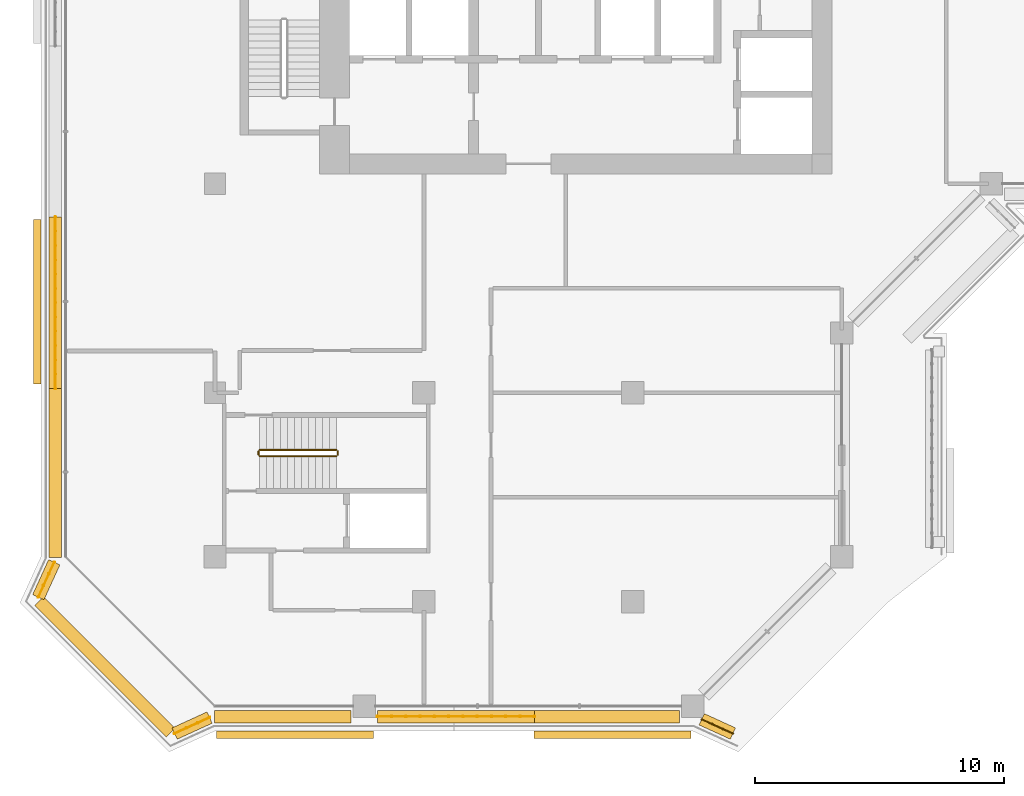
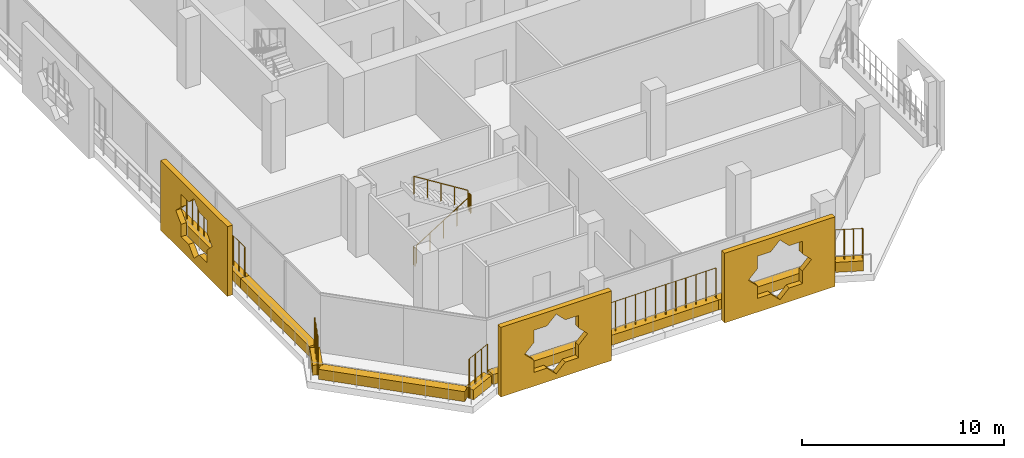
# One storey, part 14 of 21: 12 coverings, 9 railings.
"""IFC4 building model written with IfcOpenShell, lengths in metres."""

from ifc_helpers import new_model, si_unit, direction, frame, origin, origin_2d, place, context, subcontext, project, spatial, polyline, rectangle, circle, outline, extrude, material, material_profile, profile_set, type_object, element, save


model = new_model("IFC4")

# Units and contexts
model_context = context("Model", 3, precision=1e-05, world=origin(), true_north=direction((0.0, 1.0)))
body_context = subcontext(model_context, "Body", "Model", "MODEL_VIEW")
ifc_project = project(units=[si_unit("LENGTHUNIT", "METRE"), si_unit("AREAUNIT", "SQUARE_METRE"), si_unit("VOLUMEUNIT", "CUBIC_METRE"), si_unit("PLANEANGLEUNIT", "RADIAN"), si_unit("MASSUNIT", "GRAM", prefix="KILO")], contexts=[model_context])

# Site, building, storey
site_placement = place(None, origin())
site = spatial("IfcSite", under=ifc_project, at=site_placement, CompositionType="ELEMENT")
building_placement = place(site_placement, origin())
building = spatial("IfcBuilding", under=site, at=building_placement, Name="Kawkab Arch Medical Tower", CompositionType="ELEMENT")
storey_placement = place(building_placement, frame((0.0, 0.0, 260.0)))
storey = spatial("IfcBuildingStorey", under=building, at=storey_placement, Name="L60", CompositionType="ELEMENT", Elevation=260.0)

# Coverings
ifc_material_1 = material(Name="Bronze anodised aluminium mashrabiya panel, eight-point star pattern", Category="aluminium")
ifc_material_profile_1 = material_profile(ifc_material_1, outline(polyline([(-3.14990234375, -2.10009765625), (3.14990234375, -2.10009765625), (3.14990234375, 2.10009765625), (-3.14990234375, 2.10009765625), (-3.14990234375, -2.10009765625)]), holes=[polyline([(1.800048828125, 0.0), (1.272705078125, 0.527099609375), (1.272705078125, 1.272705078125), (0.527099609375, 1.272705078125), (0.0, 1.800048828125), (-0.527099609375, 1.272705078125), (-1.272705078125, 1.272705078125), (-1.272705078125, 0.527099609375), (-1.800048828125, 0.0), (-1.272705078125, -0.527099609375), (-1.272705078125, -1.272705078125), (-0.527099609375, -1.272705078125), (0.0, -1.800048828125), (0.527099609375, -1.272705078125), (1.272705078125, -1.272705078125), (1.272705078125, -0.527099609375), (1.800048828125, 0.0)])]), Name="Mashrabiya panel 6300x4200")
ifc_profile_set_1 = profile_set([ifc_material_profile_1], Name="Bronze anodised aluminium mashrabiya panel, eight-point star pattern")
covering_type_1 = type_object("IfcCoveringType", Name="Mashrabiya panel 6300 x 4200", PredefinedType="USERDEFINED", material=ifc_profile_set_1)
for number, where, z_axis, x_axis, name in (
    (1, (15.9814453125, -47.199951171875, 1.699951171875), (0.0, -1.0, 0.0), (1.0, 0.0, 0.0), "Mashrabiya panel L60.LOG-01-01.1"),
    (2, (3.218505859375, -47.199951171875, 1.699951171875), (0.0, -1.0, 0.0), (1.0, 0.0, 0.0), "Mashrabiya panel L60.LOG-01-01.2"),
):
    element("IfcCovering", number, at=place(storey_placement, frame(where, z_axis=z_axis, x_axis=x_axis)), inside=storey, type_object=covering_type_1, Name=name, ObjectType="SCREEN", PredefinedType="USERDEFINED", context=body_context, shape_type="SweptSolid", body=[
        extrude(outline(polyline([(-3.14990234375, -2.10009765625), (3.14990234375, -2.10009765625), (3.14990234375, 2.10009765625), (-3.14990234375, 2.10009765625), (-3.14990234375, -2.10009765625)]), holes=[polyline([(1.800048828125, 0.0), (1.272705078125, 0.527099609375), (1.272705078125, 1.272705078125), (0.527099609375, 1.272705078125), (0.0, 1.800048828125), (-0.527099609375, 1.272705078125), (-1.272705078125, 1.272705078125), (-1.272705078125, 0.527099609375), (-1.800048828125, 0.0), (-1.272705078125, -0.527099609375), (-1.272705078125, -1.272705078125), (-0.527099609375, -1.272705078125), (0.0, -1.800048828125), (0.527099609375, -1.272705078125), (1.272705078125, -1.272705078125), (1.272705078125, -0.527099609375), (1.800048828125, 0.0)])]), origin(), (0.0, 0.0, 1.0), 0.300048828125),
    ])
ifc_material_2 = material(Name="Bronze anodised aluminium mashrabiya panel, eight-point star pattern", Category="aluminium")
ifc_material_profile_2 = material_profile(ifc_material_2, outline(polyline([(-3.300048828125, -2.10009765625), (3.300048828125, -2.10009765625), (3.300048828125, 2.10009765625), (-3.300048828125, 2.10009765625), (-3.300048828125, -2.10009765625)]), holes=[polyline([(1.800048828125, 0.0), (1.272705078125, 0.527099609375), (1.272705078125, 1.272705078125), (0.527099609375, 1.272705078125), (0.0, 1.800048828125), (-0.527099609375, 1.272705078125), (-1.272705078125, 1.272705078125), (-1.272705078125, 0.527099609375), (-1.800048828125, 0.0), (-1.272705078125, -0.527099609375), (-1.272705078125, -1.272705078125), (-0.527099609375, -1.272705078125), (0.0, -1.800048828125), (0.527099609375, -1.272705078125), (1.272705078125, -1.272705078125), (1.272705078125, -0.527099609375), (1.800048828125, 0.0)])]), Name="Mashrabiya panel 6600x4200")
ifc_profile_set_2 = profile_set([ifc_material_profile_2], Name="Bronze anodised aluminium mashrabiya panel, eight-point star pattern")
covering_type_2 = type_object("IfcCoveringType", Name="Mashrabiya panel 6600 x 4200", PredefinedType="USERDEFINED", material=ifc_profile_set_2)
covering_1_placement = place(storey_placement, frame((-7.0, -29.94091796875, 1.699951171875), z_axis=(-1.0, 0.0, 0.0), x_axis=(0.0, -1.0, 0.0)))
element("IfcCovering", 3, at=covering_1_placement, inside=storey, type_object=covering_type_2, Name="Mashrabiya panel L60.LOG-01-01.3", ObjectType="SCREEN", PredefinedType="USERDEFINED", context=body_context, shape_type="SweptSolid", body=[
    extrude(outline(polyline([(-3.300048828125, -2.10009765625), (3.300048828125, -2.10009765625), (3.300048828125, 2.10009765625), (-3.300048828125, 2.10009765625), (-3.300048828125, -2.10009765625)]), holes=[polyline([(1.800048828125, 0.0), (1.272705078125, 0.527099609375), (1.272705078125, 1.272705078125), (0.527099609375, 1.272705078125), (0.0, 1.800048828125), (-0.527099609375, 1.272705078125), (-1.272705078125, 1.272705078125), (-1.272705078125, 0.527099609375), (-1.800048828125, 0.0), (-1.272705078125, -0.527099609375), (-1.272705078125, -1.272705078125), (-0.527099609375, -1.272705078125), (0.0, -1.800048828125), (0.527099609375, -1.272705078125), (1.272705078125, -1.272705078125), (1.272705078125, -0.527099609375), (1.800048828125, 0.0)])]), origin(), (0.0, 0.0, 1.0), 0.300048828125),
])
ifc_material_3 = material(Name="Planting soil in a precast trough", Category="concrete")
ifc_material_profile_3 = material_profile(ifc_material_3, rectangle(XDim=0.5, YDim=0.60009765625, at=origin_2d()), Name="Trough 500x600")
ifc_profile_set_3 = profile_set([ifc_material_profile_3], Name="Planting soil in a precast trough")
covering_type_3 = type_object("IfcCoveringType", Name="Planter trough 500 x 600", PredefinedType="USERDEFINED", material=ifc_profile_set_3)
covering_2_placement = place(storey_placement, frame((20.821044921875, -47.302001953125, 0.300048828125), z_axis=(-0.909831953447, 0.41497688669, 0.0), x_axis=(-0.41497688669, -0.909831953447, 0.0)))
element("IfcCovering", 4, at=covering_2_placement, inside=storey, type_object=covering_type_3, Name="Planter L60.LOG-01-01.1", ObjectType="PLANTER", PredefinedType="USERDEFINED", context=body_context, shape_type="SweptSolid", body=[
    extrude(rectangle(XDim=0.5, YDim=0.60009765625, at=origin_2d()), origin(), (0.0, 0.0, 1.0), 1.37841796875),
])
covering_3_placement = place(storey_placement, frame((18.669921875, -46.6201171875, 0.300048828125), z_axis=(-1.0, 0.0, 0.0), x_axis=(0.0, -1.0, 0.0)))
element("IfcCovering", 5, at=covering_3_placement, inside=storey, type_object=covering_type_3, Name="Planter L60.LOG-01-01.2", ObjectType="PLANTER", PredefinedType="USERDEFINED", context=body_context, shape_type="SweptSolid", body=[
    extrude(rectangle(XDim=0.5, YDim=0.60009765625, at=origin_2d()), origin(), (0.0, 0.0, 1.0), 5.827880859375),
])
covering_4_placement = place(storey_placement, frame((12.842041015625, -46.6201171875, 0.300048828125), z_axis=(-1.0, 0.0, 0.0), x_axis=(0.0, -1.0, 0.0)))
element("IfcCovering", 6, at=covering_4_placement, inside=storey, type_object=covering_type_3, Name="Planter L60.LOG-01-01.3", ObjectType="PLANTER", PredefinedType="USERDEFINED", context=body_context, shape_type="SweptSolid", body=[
    extrude(rectangle(XDim=0.5, YDim=0.60009765625, at=origin_2d()), origin(), (0.0, 0.0, 1.0), 6.31201171875),
])
covering_5_placement = place(storey_placement, frame((5.469970703125, -46.6201171875, 0.300048828125), z_axis=(-1.0, 0.0, 0.0), x_axis=(0.0, -1.0, 0.0)))
element("IfcCovering", 7, at=covering_5_placement, inside=storey, type_object=covering_type_3, Name="Planter L60.LOG-01-01.4", ObjectType="PLANTER", PredefinedType="USERDEFINED", context=body_context, shape_type="SweptSolid", body=[
    extrude(rectangle(XDim=0.5, YDim=0.60009765625, at=origin_2d()), origin(), (0.0, 0.0, 1.0), 5.495849609375),
])
covering_6_placement = place(storey_placement, frame((-0.217041015625, -46.660888671875, 0.300048828125), z_axis=(-0.909655525109, -0.415363486165, 0.0), x_axis=(0.415363486165, -0.909655525109, 0.0)))
element("IfcCovering", 8, at=covering_6_placement, inside=storey, type_object=covering_type_3, Name="Planter L60.LOG-01-01.5", ObjectType="PLANTER", PredefinedType="USERDEFINED", context=body_context, shape_type="SweptSolid", body=[
    extrude(rectangle(XDim=0.5, YDim=0.60009765625, at=origin_2d()), origin(), (0.0, 0.0, 1.0), 1.54345703125),
])
covering_7_placement = place(storey_placement, frame((-1.782958984375, -47.27294921875, 0.300048828125), z_axis=(-0.707106781187, 0.707106781187, 0.0), x_axis=(-0.707106781187, -0.707106781187, 0.0)))
element("IfcCovering", 9, at=covering_7_placement, inside=storey, type_object=covering_type_3, Name="Planter L60.LOG-01-01.6", ObjectType="PLANTER", PredefinedType="USERDEFINED", context=body_context, shape_type="SweptSolid", body=[
    extrude(rectangle(XDim=0.5, YDim=0.60009765625, at=origin_2d()), origin(), (0.0, 0.0, 1.0), 7.481201171875),
])
covering_8_placement = place(storey_placement, frame((-7.10205078125, -41.821044921875, 0.300048828125), z_axis=(0.415363486165, 0.909655525109, 0.0), x_axis=(-0.909655525109, 0.415363486165, 0.0)))
element("IfcCovering", 10, at=covering_8_placement, inside=storey, type_object=covering_type_3, Name="Planter L60.LOG-01-01.7", ObjectType="PLANTER", PredefinedType="USERDEFINED", context=body_context, shape_type="SweptSolid", body=[
    extrude(rectangle(XDim=0.5, YDim=0.60009765625, at=origin_2d()), origin(), (0.0, 0.0, 1.0), 1.54345703125),
])
covering_9_placement = place(storey_placement, frame((-6.419921875, -40.22607421875, 0.300048828125), z_axis=(0.0, 1.0, 0.0), x_axis=(-1.0, 0.0, 0.0)))
element("IfcCovering", 11, at=covering_9_placement, inside=storey, type_object=covering_type_3, Name="Planter L60.LOG-01-01.8", ObjectType="PLANTER", PredefinedType="USERDEFINED", context=body_context, shape_type="SweptSolid", body=[
    extrude(rectangle(XDim=0.5, YDim=0.60009765625, at=origin_2d()), origin(), (0.0, 0.0, 1.0), 6.7900390625),
])
covering_10_placement = place(storey_placement, frame((-6.419921875, -33.43603515625, 0.300048828125), z_axis=(0.0, 1.0, 0.0), x_axis=(-1.0, 0.0, 0.0)))
element("IfcCovering", 12, at=covering_10_placement, inside=storey, type_object=covering_type_3, Name="Planter L60.LOG-01-01.9", ObjectType="PLANTER", PredefinedType="USERDEFINED", context=body_context, shape_type="SweptSolid", body=[
    extrude(rectangle(XDim=0.5, YDim=0.60009765625, at=origin_2d()), origin(), (0.0, 0.0, 1.0), 6.89111328125),
])

# Railings
ifc_material_4 = material(Name="Bronze anodised aluminium trellis for climbing plants", Category="aluminium")
railing_type_1 = type_object("IfcRailingType", Name="Planting trellis 2400", PredefinedType="USERDEFINED", material=ifc_material_4)
railing_1_placement = place(storey_placement, frame((20.821044921875, -47.302001953125, 0.0)))
element("IfcRailing", 13, at=railing_1_placement, inside=storey, type_object=railing_type_1, Name="Planting trellis L60.LOG-01-01.1", ObjectType="TRELLIS", PredefinedType="USERDEFINED", context=body_context, shape_type="SweptSolid", body=[
    extrude(circle(Radius=0.01513671875, at=origin_2d()), frame((0.0, 0.0, 2.384765625), z_axis=(-0.909831953447, 0.41497688669, 0.0), x_axis=(-0.41497688669, -0.909831953447, 0.0)), (0.0, 0.0, 1.0), 1.37841796875),
    extrude(circle(Radius=0.030029296875, at=origin_2d()), origin(), (0.0, 0.0, 1.0), 2.369873046875),
    extrude(circle(Radius=0.030029296875, at=origin_2d()), frame((-0.41796875, 0.190673828125, 0.0)), (0.0, 0.0, 1.0), 2.369873046875),
    extrude(circle(Radius=0.030029296875, at=origin_2d()), frame((-0.836181640625, 0.38134765625, 0.0)), (0.0, 0.0, 1.0), 2.369873046875),
    extrude(circle(Radius=0.030029296875, at=origin_2d()), frame((-1.254150390625, 0.572021484375, 0.0)), (0.0, 0.0, 1.0), 2.369873046875),
])
railing_2_placement = place(storey_placement, frame((12.842041015625, -46.6201171875, 0.0)))
element("IfcRailing", 14, at=railing_2_placement, inside=storey, type_object=railing_type_1, Name="Planting trellis L60.LOG-01-01.3", ObjectType="TRELLIS", PredefinedType="USERDEFINED", context=body_context, shape_type="SweptSolid", body=[
    extrude(circle(Radius=0.01513671875, at=origin_2d()), frame((0.0, 0.0, 2.384765625), z_axis=(-1.0, 0.0, 0.0), x_axis=(0.0, -1.0, 0.0)), (0.0, 0.0, 1.0), 6.31201171875),
    extrude(circle(Radius=0.030029296875, at=origin_2d()), origin(), (0.0, 0.0, 1.0), 2.369873046875),
    extrude(circle(Radius=0.030029296875, at=origin_2d()), frame((-0.57373046875, 0.0, 0.0)), (0.0, 0.0, 1.0), 2.369873046875),
    extrude(circle(Radius=0.030029296875, at=origin_2d()), frame((-1.147705078125, 0.0, 0.0)), (0.0, 0.0, 1.0), 2.369873046875),
    extrude(circle(Radius=0.030029296875, at=origin_2d()), frame((-1.721435546875, 0.0, 0.0)), (0.0, 0.0, 1.0), 2.369873046875),
    extrude(circle(Radius=0.030029296875, at=origin_2d()), frame((-2.295166015625, 0.0, 0.0)), (0.0, 0.0, 1.0), 2.369873046875),
    extrude(circle(Radius=0.030029296875, at=origin_2d()), frame((-2.869140625, 0.0, 0.0)), (0.0, 0.0, 1.0), 2.369873046875),
    extrude(circle(Radius=0.030029296875, at=origin_2d()), frame((-3.44287109375, 0.0, 0.0)), (0.0, 0.0, 1.0), 2.369873046875),
    extrude(circle(Radius=0.030029296875, at=origin_2d()), frame((-4.016845703125, 0.0, 0.0)), (0.0, 0.0, 1.0), 2.369873046875),
    extrude(circle(Radius=0.030029296875, at=origin_2d()), frame((-4.590576171875, 0.0, 0.0)), (0.0, 0.0, 1.0), 2.369873046875),
    extrude(circle(Radius=0.030029296875, at=origin_2d()), frame((-5.164306640625, 0.0, 0.0)), (0.0, 0.0, 1.0), 2.369873046875),
    extrude(circle(Radius=0.030029296875, at=origin_2d()), frame((-5.73828125, 0.0, 0.0)), (0.0, 0.0, 1.0), 2.369873046875),
    extrude(circle(Radius=0.030029296875, at=origin_2d()), frame((-6.31201171875, 0.0, 0.0)), (0.0, 0.0, 1.0), 2.369873046875),
])
railing_3_placement = place(storey_placement, frame((-0.217041015625, -46.660888671875, 0.0)))
element("IfcRailing", 15, at=railing_3_placement, inside=storey, type_object=railing_type_1, Name="Planting trellis L60.LOG-01-01.5", ObjectType="TRELLIS", PredefinedType="USERDEFINED", context=body_context, shape_type="SweptSolid", body=[
    extrude(circle(Radius=0.01513671875, at=origin_2d()), frame((0.0, 0.0, 2.384765625), z_axis=(-0.909655525109, -0.415363486165, 0.0), x_axis=(0.415363486165, -0.909655525109, 0.0)), (0.0, 0.0, 1.0), 1.54345703125),
    extrude(circle(Radius=0.030029296875, at=origin_2d()), origin(), (0.0, 0.0, 1.0), 2.369873046875),
    extrude(circle(Radius=0.030029296875, at=origin_2d()), frame((-0.468017578125, -0.213623046875, 0.0)), (0.0, 0.0, 1.0), 2.369873046875),
    extrude(circle(Radius=0.030029296875, at=origin_2d()), frame((-0.93603515625, -0.427490234375, 0.0)), (0.0, 0.0, 1.0), 2.369873046875),
    extrude(circle(Radius=0.030029296875, at=origin_2d()), frame((-1.404052734375, -0.64111328125, 0.0)), (0.0, 0.0, 1.0), 2.369873046875),
])
railing_4_placement = place(storey_placement, frame((-7.10205078125, -41.821044921875, 0.0)))
element("IfcRailing", 16, at=railing_4_placement, inside=storey, type_object=railing_type_1, Name="Planting trellis L60.LOG-01-01.7", ObjectType="TRELLIS", PredefinedType="USERDEFINED", context=body_context, shape_type="SweptSolid", body=[
    extrude(circle(Radius=0.01513671875, at=origin_2d()), frame((0.0, 0.0, 2.384765625), z_axis=(0.415363486165, 0.909655525109, 0.0), x_axis=(-0.909655525109, 0.415363486165, 0.0)), (0.0, 0.0, 1.0), 1.54345703125),
    extrude(circle(Radius=0.030029296875, at=origin_2d()), origin(), (0.0, 0.0, 1.0), 2.369873046875),
    extrude(circle(Radius=0.030029296875, at=origin_2d()), frame((0.213623046875, 0.468017578125, 0.0)), (0.0, 0.0, 1.0), 2.369873046875),
    extrude(circle(Radius=0.030029296875, at=origin_2d()), frame((0.427490234375, 0.93603515625, 0.0)), (0.0, 0.0, 1.0), 2.369873046875),
    extrude(circle(Radius=0.030029296875, at=origin_2d()), frame((0.64111328125, 1.404052734375, 0.0)), (0.0, 0.0, 1.0), 2.369873046875),
])
railing_5_placement = place(storey_placement, frame((-6.419921875, -33.43603515625, 0.0)))
element("IfcRailing", 17, at=railing_5_placement, inside=storey, type_object=railing_type_1, Name="Planting trellis L60.LOG-01-01.9", ObjectType="TRELLIS", PredefinedType="USERDEFINED", context=body_context, shape_type="SweptSolid", body=[
    extrude(circle(Radius=0.01513671875, at=origin_2d()), frame((0.0, 0.0, 2.384765625), z_axis=(0.0, 1.0, 0.0), x_axis=(-1.0, 0.0, 0.0)), (0.0, 0.0, 1.0), 6.89111328125),
    extrude(circle(Radius=0.030029296875, at=origin_2d()), origin(), (0.0, 0.0, 1.0), 2.369873046875),
    extrude(circle(Radius=0.030029296875, at=origin_2d()), frame((0.0, 0.57421875, 0.0)), (0.0, 0.0, 1.0), 2.369873046875),
    extrude(circle(Radius=0.030029296875, at=origin_2d()), frame((0.0, 1.1484375, 0.0)), (0.0, 0.0, 1.0), 2.369873046875),
    extrude(circle(Radius=0.030029296875, at=origin_2d()), frame((0.0, 1.72265625, 0.0)), (0.0, 0.0, 1.0), 2.369873046875),
    extrude(circle(Radius=0.030029296875, at=origin_2d()), frame((0.0, 2.297119140625, 0.0)), (0.0, 0.0, 1.0), 2.369873046875),
    extrude(circle(Radius=0.030029296875, at=origin_2d()), frame((0.0, 2.871337890625, 0.0)), (0.0, 0.0, 1.0), 2.369873046875),
    extrude(circle(Radius=0.030029296875, at=origin_2d()), frame((0.0, 3.445556640625, 0.0)), (0.0, 0.0, 1.0), 2.369873046875),
    extrude(circle(Radius=0.030029296875, at=origin_2d()), frame((0.0, 4.019775390625, 0.0)), (0.0, 0.0, 1.0), 2.369873046875),
    extrude(circle(Radius=0.030029296875, at=origin_2d()), frame((0.0, 4.593994140625, 0.0)), (0.0, 0.0, 1.0), 2.369873046875),
    extrude(circle(Radius=0.030029296875, at=origin_2d()), frame((0.0, 5.16845703125, 0.0)), (0.0, 0.0, 1.0), 2.369873046875),
    extrude(circle(Radius=0.030029296875, at=origin_2d()), frame((0.0, 5.74267578125, 0.0)), (0.0, 0.0, 1.0), 2.369873046875),
    extrude(circle(Radius=0.030029296875, at=origin_2d()), frame((0.0, 6.31689453125, 0.0)), (0.0, 0.0, 1.0), 2.369873046875),
    extrude(circle(Radius=0.030029296875, at=origin_2d()), frame((0.0, 6.89111328125, 0.0)), (0.0, 0.0, 1.0), 2.369873046875),
])
ifc_material_5 = material(Name="Stainless steel", Category="steel")
railing_type_2 = type_object("IfcRailingType", Name="Stair guard 1100", PredefinedType="GUARDRAIL", material=ifc_material_5)
railing_6_placement = place(storey_placement, frame((1.800048828125, -36.14990234375, 0.175048828125)))
element("IfcRailing", 18, at=railing_6_placement, inside=storey, type_object=railing_type_2, Name="L60 ST6 stair guard 1", PredefinedType="GUARDRAIL", context=body_context, shape_type="SweptSolid", body=[
    extrude(circle(Radius=0.02392578125, at=origin_2d()), frame((0.0, 0.0, 1.076171875), z_axis=(0.847979421464, 0.0, 0.530029150871), x_axis=(0.0, 1.0, 0.0)), (0.0, 0.0, 1.0), 3.632080078125),
    extrude(circle(Radius=0.02099609375, at=origin_2d()), origin(), (0.0, 0.0, 1.0), 1.052001953125),
    extrude(circle(Radius=0.02099609375, at=origin_2d()), frame((0.77001953125, 0.0, 0.481201171875)), (0.0, 0.0, 1.0), 1.052001953125),
    extrude(circle(Radius=0.02099609375, at=origin_2d()), frame((1.5400390625, 0.0, 0.96240234375)), (0.0, 0.0, 1.0), 1.052001953125),
    extrude(circle(Radius=0.02099609375, at=origin_2d()), frame((2.309814453125, 0.0, 1.44384765625)), (0.0, 0.0, 1.0), 1.052001953125),
    extrude(circle(Radius=0.02099609375, at=origin_2d()), frame((3.079833984375, 0.0, 1.925048828125)), (0.0, 0.0, 1.0), 1.052001953125),
])
railing_7_placement = place(storey_placement, frame((4.929931640625, -36.10009765625, 2.10009765625)))
element("IfcRailing", 19, at=railing_7_placement, inside=storey, type_object=railing_type_2, Name="L60 ST6 stair guard 2", PredefinedType="GUARDRAIL", context=body_context, shape_type="SweptSolid", body=[
    extrude(circle(Radius=0.02392578125, at=origin_2d()), frame((0.0, 0.0, 1.076171875), z_axis=(0.0, 1.0, 0.0), x_axis=(-1.0, 0.0, 0.0)), (0.0, 0.0, 1.0), 0.150146484375),
    extrude(circle(Radius=0.02099609375, at=origin_2d()), origin(), (0.0, 0.0, 1.0), 1.052001953125),
    extrude(circle(Radius=0.02099609375, at=origin_2d()), frame((0.0, 0.150146484375, 0.0)), (0.0, 0.0, 1.0), 1.052001953125),
])
railing_8_placement = place(storey_placement, frame((4.8798828125, -35.89990234375, 2.27490234375)))
element("IfcRailing", 20, at=railing_8_placement, inside=storey, type_object=railing_type_2, Name="L60 ST6 stair guard 3", PredefinedType="GUARDRAIL", context=body_context, shape_type="SweptSolid", body=[
    extrude(circle(Radius=0.02392578125, at=origin_2d()), frame((0.0, 0.0, 1.076171875), z_axis=(-0.847979421464, 0.0, 0.530029150871), x_axis=(0.0, -1.0, 0.0)), (0.0, 0.0, 1.0), 3.632080078125),
    extrude(circle(Radius=0.02099609375, at=origin_2d()), origin(), (0.0, 0.0, 1.0), 1.052001953125),
    extrude(circle(Radius=0.02099609375, at=origin_2d()), frame((-0.77001953125, 0.0, 0.481201171875)), (0.0, 0.0, 1.0), 1.052001953125),
    extrude(circle(Radius=0.02099609375, at=origin_2d()), frame((-1.5400390625, 0.0, 0.96240234375)), (0.0, 0.0, 1.0), 1.052001953125),
    extrude(circle(Radius=0.02099609375, at=origin_2d()), frame((-2.309814453125, 0.0, 1.44384765625)), (0.0, 0.0, 1.0), 1.052001953125),
    extrude(circle(Radius=0.02099609375, at=origin_2d()), frame((-3.079833984375, 0.0, 1.925048828125)), (0.0, 0.0, 1.0), 1.052001953125),
])
railing_9_placement = place(storey_placement, frame((1.75, -36.10009765625, 0.0)))
element("IfcRailing", 21, at=railing_9_placement, inside=storey, type_object=railing_type_2, Name="L60 ST6 stair guard 4", PredefinedType="GUARDRAIL", context=body_context, shape_type="SweptSolid", body=[
    extrude(circle(Radius=0.02392578125, at=origin_2d()), frame((0.0, 0.0, 1.076171875), z_axis=(0.0, 1.0, 0.0), x_axis=(-1.0, 0.0, 0.0)), (0.0, 0.0, 1.0), 0.150146484375),
    extrude(circle(Radius=0.02099609375, at=origin_2d()), origin(), (0.0, 0.0, 1.0), 1.052001953125),
    extrude(circle(Radius=0.02099609375, at=origin_2d()), frame((0.0, 0.150146484375, 0.0)), (0.0, 0.0, 1.0), 1.052001953125),
])

save(model, "model.ifc")
